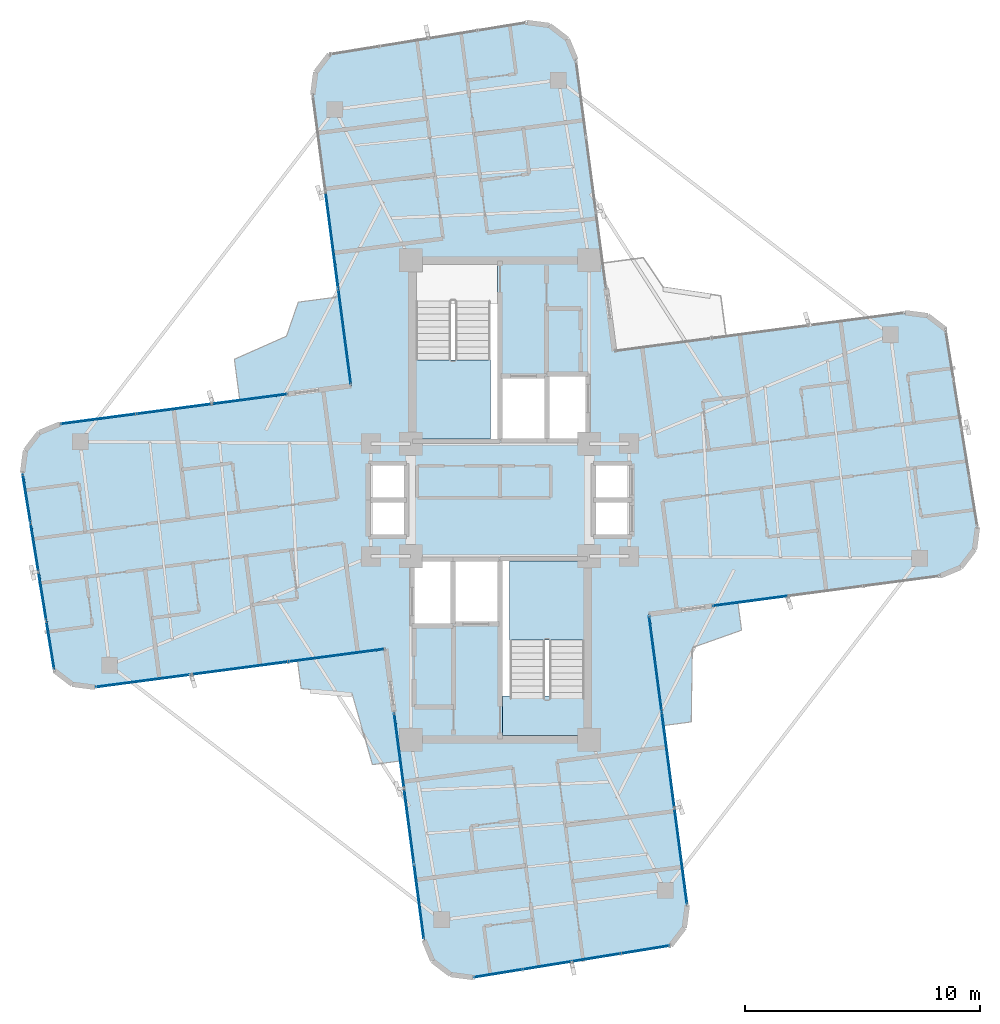
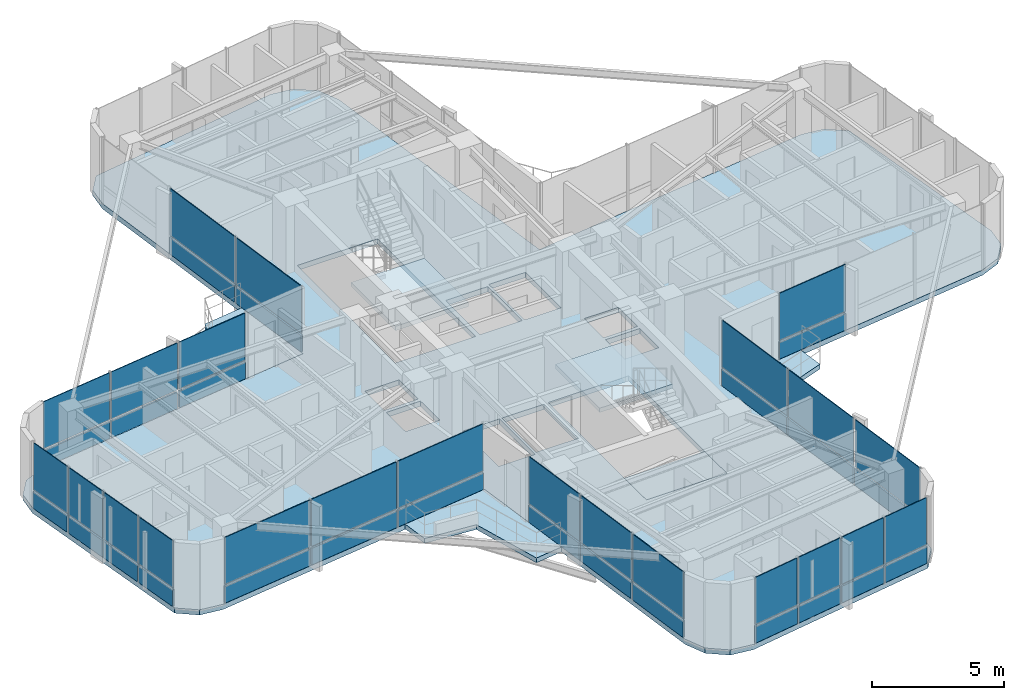
# One storey, part 16 of 22: 46 plates, 7 slabs, 10 elements without a shape of their own.
"""IFC4 building model written with IfcOpenShell, lengths in metres."""

from ifc_helpers import new_model, si_unit, direction, frame, origin, origin_2d, place, context, subcontext, project, spatial, polyline, rectangle, outline, extrude, source, transform, mapped, material, layer, layer_set, type_object, element, aggregate, save


model = new_model("IFC4")

# Units and contexts
model_context = context("Model", 3, precision=1e-05, world=origin(), true_north=direction((0.0, 1.0)))
body_context = subcontext(model_context, "Body", "Model", "MODEL_VIEW")
ifc_project = project(units=[si_unit("LENGTHUNIT", "METRE"), si_unit("AREAUNIT", "SQUARE_METRE"), si_unit("VOLUMEUNIT", "CUBIC_METRE"), si_unit("PLANEANGLEUNIT", "RADIAN"), si_unit("MASSUNIT", "GRAM", prefix="KILO")], contexts=[model_context])

# Site, building, storey
site_placement = place(None, origin())
site = spatial("IfcSite", under=ifc_project, at=site_placement, CompositionType="ELEMENT")
building_placement = place(site_placement, origin())
building = spatial("IfcBuilding", under=site, at=building_placement, Name="Sahyath Konkavel Grand Hotel", CompositionType="ELEMENT")
storey_placement = place(building_placement, frame((0.0, 0.0, 206.5)))
storey = spatial("IfcBuildingStorey", under=building, at=storey_placement, Name="L57", CompositionType="ELEMENT", Elevation=206.5)

# Slabs
ifc_material_1 = material(Name="Concrete C40/50", Category="concrete")
ifc_layer_1 = layer(ifc_material_1, 0.239990234375)
ifc_layer_set_1 = layer_set([ifc_layer_1], Name="Concrete C40/50")
slab_type_1 = type_object("IfcSlabType", Name="SLB-240", PredefinedType="FLOOR", material=ifc_layer_set_1)
slab_1_placement = place(storey_placement, frame((0.0, 0.0, -0.239990234375)))
element("IfcSlab", 1, at=slab_1_placement, inside=storey, type_object=slab_type_1, Name="L57 Structural Floor Slab", PredefinedType="FLOOR", context=body_context, shape_type="SweptSolid", body=[
    extrude(outline(polyline([(6.339111328125, -4.8642578125), (18.732177734375, -3.232666015625), (19.616943359375, -2.8662109375), (20.199951171875, -2.1064453125), (20.324951171875, -1.156982421875), (18.96630859375, 7.2626953125), (18.206787109375, 7.845703125), (17.25732421875, 7.970703125), (4.8642578125, 6.339111328125), (3.232666015625, 18.732177734375), (2.8662109375, 19.616943359375), (2.1064453125, 20.199951171875), (1.156982421875, 20.324951171875), (-7.2626953125, 18.96630859375), (-7.845703125, 18.206787109375), (-7.970703125, 17.25732421875), (-6.339111328125, 4.8642578125), (-18.732177734375, 3.232666015625), (-19.616943359375, 2.8662109375), (-20.199951171875, 2.1064453125), (-20.324951171875, 1.156982421875), (-18.96630859375, -7.2626953125), (-18.206787109375, -7.845703125), (-17.25732421875, -7.970703125), (-4.8642578125, -6.339111328125), (-3.232666015625, -18.732177734375), (-2.8662109375, -19.616943359375), (-2.1064453125, -20.199951171875), (-1.156982421875, -20.324951171875), (7.2626953125, -18.96630859375), (7.845703125, -18.206787109375), (7.970703125, -17.25732421875), (6.339111328125, -4.8642578125)]), holes=[polyline([(-3.6201171875, 2.580078125), (-0.10009765625, 2.580078125), (-0.10009765625, 10.02001953125), (-3.6201171875, 10.02001953125), (-3.6201171875, 2.580078125)]), polyline([(0.10009765625, -10.02001953125), (3.6201171875, -10.02001953125), (3.6201171875, -2.580078125), (0.10009765625, -2.580078125), (0.10009765625, -10.02001953125)]), polyline([(0.10009765625, 2.60009765625), (1.949951171875, 2.60009765625), (1.949951171875, 5.199951171875), (0.10009765625, 5.199951171875), (0.10009765625, 2.60009765625)]), polyline([(-1.949951171875, -5.199951171875), (-0.10009765625, -5.199951171875), (-0.10009765625, -2.60009765625), (-1.949951171875, -2.60009765625), (-1.949951171875, -5.199951171875)]), polyline([(2.050048828125, 2.60009765625), (3.64990234375, 2.60009765625), (3.64990234375, 5.300048828125), (2.050048828125, 5.300048828125), (2.050048828125, 2.60009765625)]), polyline([(-3.64990234375, -5.300048828125), (-2.050048828125, -5.300048828125), (-2.050048828125, -2.60009765625), (-3.64990234375, -2.60009765625), (-3.64990234375, -5.300048828125)]), polyline([(4.050048828125, 0.080078125), (5.550048828125, 0.080078125), (5.550048828125, 1.5400390625), (4.050048828125, 1.5400390625), (4.050048828125, 0.080078125)]), polyline([(4.050048828125, -1.5400390625), (5.550048828125, -1.5400390625), (5.550048828125, -0.080078125), (4.050048828125, -0.080078125), (4.050048828125, -1.5400390625)]), polyline([(-5.550048828125, 0.080078125), (-4.050048828125, 0.080078125), (-4.050048828125, 1.5400390625), (-5.550048828125, 1.5400390625), (-5.550048828125, 0.080078125)]), polyline([(-5.550048828125, -1.5400390625), (-4.050048828125, -1.5400390625), (-4.050048828125, -0.080078125), (-5.550048828125, -0.080078125), (-5.550048828125, -1.5400390625)])]), origin(), (0.0, 0.0, 1.0), 0.239990234375),
])
ifc_layer_2 = layer(ifc_material_1, 0.219970703125)
ifc_layer_set_2 = layer_set([ifc_layer_2], Name="Concrete C40/50")
slab_type_2 = type_object("IfcSlabType", Name="SLB-BALCONY-220", PredefinedType="FLOOR", material=ifc_layer_set_2)
slab_2_placement = place(storey_placement, frame((0.0, 0.0, -0.219970703125)))
element("IfcSlab", 2, at=slab_2_placement, inside=storey, type_object=slab_type_2, Name="L57 Winter-Garden Balcony NW", PredefinedType="FLOOR", context=body_context, shape_type="SweptSolid", body=[
    extrude(outline(polyline([(-6.339111328125, 4.8642578125), (-6.837890625, 8.652587890625), (-8.58740234375, 8.422119140625), (-9.089111328125, 6.974365234375), (-11.3076171875, 5.989990234375), (-11.077392578125, 4.240478515625), (-6.339111328125, 4.8642578125)])), origin(), (0.0, 0.0, 1.0), 0.219970703125),
])
slab_3_placement = place(storey_placement, frame((0.0, 0.0, -0.219970703125)))
element("IfcSlab", 3, at=slab_3_placement, inside=storey, type_object=slab_type_2, Name="L57 Winter-Garden Balcony SW", PredefinedType="FLOOR", context=body_context, shape_type="SweptSolid", body=[
    extrude(outline(polyline([(-4.8642578125, -6.339111328125), (-8.621826171875, -6.833740234375), (-8.464599609375, -8.028076171875), (-6.304443359375, -8.21630859375), (-5.4306640625, -11.26513671875), (-4.236328125, -11.10791015625), (-4.8642578125, -6.339111328125)])), origin(), (0.0, 0.0, 1.0), 0.219970703125),
])
slab_4_placement = place(storey_placement, frame((0.0, 0.0, -0.219970703125)))
element("IfcSlab", 4, at=slab_4_placement, inside=storey, type_object=slab_type_2, Name="L57 Winter-Garden Balcony SE", PredefinedType="FLOOR", context=body_context, shape_type="SweptSolid", body=[
    extrude(outline(polyline([(6.339111328125, -4.8642578125), (6.962890625, -9.602294921875), (8.139892578125, -9.447265625), (8.189208984375, -6.28369140625), (10.282470703125, -5.54248046875), (10.12744140625, -4.365478515625), (6.339111328125, -4.8642578125)])), origin(), (0.0, 0.0, 1.0), 0.219970703125),
])

# Stair, slab
stair_type = type_object("IfcStairType", Name="STR-ST16-335", PredefinedType="HALF_TURN_STAIR", material=ifc_material_1)
stair_1_placement = place(storey_placement, origin())
stair_1 = element("IfcStair", 5, at=stair_1_placement, inside=storey, type_object=stair_type, Name="L57 North Core Smokeproof Exit Stair ST-1", PredefinedType="HALF_TURN_STAIR")
ifc_layer_3 = layer(ifc_material_1, 0.199951171875)
ifc_layer_set_3 = layer_set([ifc_layer_3], Name="Concrete C40/50")
slab_type_3 = type_object("IfcSlabType", Name="SLB-STAIR-LND", PredefinedType="LANDING", material=ifc_layer_set_3)
slab_5_placement = place(storey_placement, frame((0.0, 0.0, 1.47509765625)))
slab_5 = element("IfcSlab", 6, at=slab_5_placement, type_object=slab_type_3, Name="ST-1 landing 1", PredefinedType="LANDING", context=body_context, shape_type="SweptSolid", body=[
    extrude(outline(polyline([(-3.60009765625, 5.9599609375), (-3.60009765625, 2.60009765625), (-0.39990234375, 2.60009765625), (-0.39990234375, 5.9599609375), (-3.60009765625, 5.9599609375)])), origin(), (0.0, 0.0, 1.0), 0.199951171875),
])
aggregate(stair_1, [slab_5])

stair_2_placement = place(storey_placement, origin())
stair_2 = element("IfcStair", 7, at=stair_2_placement, inside=storey, type_object=stair_type, Name="L57 South Core Smokeproof Exit Stair ST-2", PredefinedType="HALF_TURN_STAIR")
slab_6_placement = place(storey_placement, frame((0.0, 0.0, 1.47509765625)))
slab_6 = element("IfcSlab", 8, at=slab_6_placement, type_object=slab_type_3, Name="ST-2 landing 1", PredefinedType="LANDING", context=body_context, shape_type="SweptSolid", body=[
    extrude(outline(polyline([(3.60009765625, -5.9599609375), (3.60009765625, -2.60009765625), (0.39990234375, -2.60009765625), (0.39990234375, -5.9599609375), (3.60009765625, -5.9599609375)])), origin(), (0.0, 0.0, 1.0), 0.199951171875),
])
aggregate(stair_2, [slab_6])

# Slab
slab_7_placement = place(storey_placement, frame((0.0, 0.0, -0.199951171875)))
element("IfcSlab", 9, at=slab_7_placement, inside=storey, type_object=slab_type_3, Name="L57 Stair ST-2 Floor Landing Slab", PredefinedType="LANDING", context=body_context, shape_type="SweptSolid", body=[
    extrude(outline(polyline([(0.10009765625, -10.02001953125), (3.6201171875, -10.02001953125), (3.6201171875, -8.35009765625), (0.10009765625, -8.35009765625), (0.10009765625, -10.02001953125)])), origin(), (0.0, 0.0, 1.0), 0.199951171875),
])

# Curtain wall, plate
ifc_material_2 = material(Name="Anodised Bronze Aluminium & Low-E Glazing", Category="aluminium")
curtain_wall_type = type_object("IfcCurtainWallType", Name="CW-ZONE4", PredefinedType="NOTDEFINED", material=ifc_material_2)
curtain_wall_1_placement = place(storey_placement, origin())
curtain_wall_1 = element("IfcCurtainWall", 10, at=curtain_wall_1_placement, inside=storey, type_object=curtain_wall_type, Name="L57 Unitised Curtain Wall F0", PredefinedType="NOTDEFINED")
ifc_material_3 = material(Name="Warm Buff Sandstone Cladding", Category="masonry")
ifc_layer_4 = layer(ifc_material_3, 0.074951171875)
ifc_layer_set_4 = layer_set([ifc_layer_4], Name="Warm Buff Sandstone Cladding")
plate_type_1 = type_object("IfcPlateType", Name="PNL-SPANDREL-STONE", PredefinedType="SHEET", material=ifc_layer_set_4)
shared_shape_1 = source(origin(), body_context, "Body", "SweptSolid", [
    extrude(rectangle(XDim=3.159912109375, YDim=0.074951171875, at=origin_2d()), origin(), (0.0, 0.0, 1.0), 0.77001953125),
])
plate_1_placement = place(storey_placement, frame((10.661865234375, -4.295166015625, 0.0400390625), z_axis=(0.0, 0.0, 1.0), x_axis=(0.991444861374, 0.13052619222, 0.0)))
plate_1 = element("IfcPlate", 11, at=plate_1_placement, type_object=plate_type_1, Name="L57 Sandstone Relief Spandrel Panel F0-0", PredefinedType="SHEET", context=body_context, shape_type="MappedRepresentation", body=[
    mapped(shared_shape_1, transform((0.0, 0.0, 0.0), scale=1.0)),
])

# Curtain wall, plates
curtain_wall_2_placement = place(storey_placement, origin())
curtain_wall_2 = element("IfcCurtainWall", 12, at=curtain_wall_2_placement, inside=storey, type_object=curtain_wall_type, Name="L57 Unitised Curtain Wall F16", PredefinedType="NOTDEFINED")
plate_2_placement = place(storey_placement, frame((-10.661865234375, 4.295166015625, 0.0400390625), z_axis=(0.0, 0.0, 1.0), x_axis=(-0.991444861374, -0.13052619222, 0.0)))
plate_2 = element("IfcPlate", 13, at=plate_2_placement, type_object=plate_type_1, Name="L57 Sandstone Relief Spandrel Panel F16-0", PredefinedType="SHEET", context=body_context, shape_type="MappedRepresentation", body=[
    mapped(shared_shape_1, transform((0.0, 0.0, 0.0), scale=1.0)),
])
plate_3_placement = place(storey_placement, frame((-13.8740234375, 3.872314453125, 0.0400390625), z_axis=(0.0, 0.0, 1.0), x_axis=(-0.991444861374, -0.13052619222, 0.0)))
plate_3 = element("IfcPlate", 14, at=plate_3_placement, type_object=plate_type_1, Name="L57 Sandstone Relief Spandrel Panel F16-1", PredefinedType="SHEET", context=body_context, shape_type="MappedRepresentation", body=[
    mapped(shared_shape_1, transform((0.0, 0.0, 0.0), scale=1.0)),
])
plate_4_placement = place(storey_placement, frame((-17.086181640625, 3.44921875, 0.0400390625), z_axis=(0.0, 0.0, 1.0), x_axis=(-0.991444861374, -0.13052619222, 0.0)))
plate_4 = element("IfcPlate", 15, at=plate_4_placement, type_object=plate_type_1, Name="L57 Sandstone Relief Spandrel Panel F16-2", PredefinedType="SHEET", context=body_context, shape_type="MappedRepresentation", body=[
    mapped(shared_shape_1, transform((0.0, 0.0, 0.0), scale=1.0)),
])

curtain_wall_3_placement = place(storey_placement, origin())
curtain_wall_3 = element("IfcCurtainWall", 16, at=curtain_wall_3_placement, inside=storey, type_object=curtain_wall_type, Name="L57 Unitised Curtain Wall F24", PredefinedType="NOTDEFINED")
plate_5_placement = place(storey_placement, frame((-4.295166015625, -10.661865234375, 0.0400390625), z_axis=(0.0, 0.0, 1.0), x_axis=(0.13052619222, -0.991444861374, 0.0)))
plate_5 = element("IfcPlate", 17, at=plate_5_placement, type_object=plate_type_1, Name="L57 Sandstone Relief Spandrel Panel F24-0", PredefinedType="SHEET", context=body_context, shape_type="MappedRepresentation", body=[
    mapped(shared_shape_1, transform((0.0, 0.0, 0.0), scale=1.0)),
])
plate_6_placement = place(storey_placement, frame((-3.872314453125, -13.8740234375, 0.0400390625), z_axis=(0.0, 0.0, 1.0), x_axis=(0.13052619222, -0.991444861374, 0.0)))
plate_6 = element("IfcPlate", 18, at=plate_6_placement, type_object=plate_type_1, Name="L57 Sandstone Relief Spandrel Panel F24-1", PredefinedType="SHEET", context=body_context, shape_type="MappedRepresentation", body=[
    mapped(shared_shape_1, transform((0.0, 0.0, 0.0), scale=1.0)),
])
plate_7_placement = place(storey_placement, frame((-3.44921875, -17.086181640625, 0.0400390625), z_axis=(0.0, 0.0, 1.0), x_axis=(0.13052619222, -0.991444861374, 0.0)))
plate_7 = element("IfcPlate", 19, at=plate_7_placement, type_object=plate_type_1, Name="L57 Sandstone Relief Spandrel Panel F24-2", PredefinedType="SHEET", context=body_context, shape_type="MappedRepresentation", body=[
    mapped(shared_shape_1, transform((0.0, 0.0, 0.0), scale=1.0)),
])

# Plate
ifc_material_4 = material(Name="Low-E Solar Control Double Glazing", Category="glass")
ifc_layer_5 = layer(ifc_material_4, 0.035888671875)
ifc_layer_set_5 = layer_set([ifc_layer_5], Name="Low-E Solar Control Double Glazing")
plate_type_2 = type_object("IfcPlateType", Name="PNL-VISION-LOWE", PredefinedType="CURTAIN_PANEL", material=ifc_layer_set_5)
shared_shape_2 = source(origin(), body_context, "Body", "SweptSolid", [
    extrude(rectangle(XDim=3.159912109375, YDim=0.035888671875, at=origin_2d()), origin(), (0.0, 0.0, 1.0), 2.179931640625),
])
plate_8_placement = place(storey_placement, frame((10.661865234375, -4.295166015625, 0.89013671875), z_axis=(0.0, 0.0, 1.0), x_axis=(0.991444861374, 0.13052619222, 0.0)))
plate_8 = element("IfcPlate", 20, at=plate_8_placement, type_object=plate_type_2, Name="L57 Low-E Vision Glazing Panel F0-0", PredefinedType="CURTAIN_PANEL", context=body_context, shape_type="MappedRepresentation", body=[
    mapped(shared_shape_2, transform((0.0, 0.0, 0.0), scale=1.0)),
])

aggregate(curtain_wall_1, [plate_1, plate_8])

plate_9_placement = place(storey_placement, frame((-10.661865234375, 4.295166015625, 0.89013671875), z_axis=(0.0, 0.0, 1.0), x_axis=(-0.991444861374, -0.13052619222, 0.0)))
plate_9 = element("IfcPlate", 21, at=plate_9_placement, type_object=plate_type_2, Name="L57 Low-E Vision Glazing Panel F16-0", PredefinedType="CURTAIN_PANEL", context=body_context, shape_type="MappedRepresentation", body=[
    mapped(shared_shape_2, transform((0.0, 0.0, 0.0), scale=1.0)),
])

plate_10_placement = place(storey_placement, frame((-13.8740234375, 3.872314453125, 0.89013671875), z_axis=(0.0, 0.0, 1.0), x_axis=(-0.991444861374, -0.13052619222, 0.0)))
plate_10 = element("IfcPlate", 22, at=plate_10_placement, type_object=plate_type_2, Name="L57 Low-E Vision Glazing Panel F16-1", PredefinedType="CURTAIN_PANEL", context=body_context, shape_type="MappedRepresentation", body=[
    mapped(shared_shape_2, transform((0.0, 0.0, 0.0), scale=1.0)),
])

plate_11_placement = place(storey_placement, frame((-17.086181640625, 3.44921875, 0.89013671875), z_axis=(0.0, 0.0, 1.0), x_axis=(-0.991444861374, -0.13052619222, 0.0)))
plate_11 = element("IfcPlate", 23, at=plate_11_placement, type_object=plate_type_2, Name="L57 Low-E Vision Glazing Panel F16-2", PredefinedType="CURTAIN_PANEL", context=body_context, shape_type="MappedRepresentation", body=[
    mapped(shared_shape_2, transform((0.0, 0.0, 0.0), scale=1.0)),
])

aggregate(curtain_wall_2, [plate_2, plate_9, plate_3, plate_10, plate_4, plate_11])

plate_12_placement = place(storey_placement, frame((-4.295166015625, -10.661865234375, 0.89013671875), z_axis=(0.0, 0.0, 1.0), x_axis=(0.13052619222, -0.991444861374, 0.0)))
plate_12 = element("IfcPlate", 24, at=plate_12_placement, type_object=plate_type_2, Name="L57 Low-E Vision Glazing Panel F24-0", PredefinedType="CURTAIN_PANEL", context=body_context, shape_type="MappedRepresentation", body=[
    mapped(shared_shape_2, transform((0.0, 0.0, 0.0), scale=1.0)),
])

plate_13_placement = place(storey_placement, frame((-3.872314453125, -13.8740234375, 0.89013671875), z_axis=(0.0, 0.0, 1.0), x_axis=(0.13052619222, -0.991444861374, 0.0)))
plate_13 = element("IfcPlate", 25, at=plate_13_placement, type_object=plate_type_2, Name="L57 Low-E Vision Glazing Panel F24-1", PredefinedType="CURTAIN_PANEL", context=body_context, shape_type="MappedRepresentation", body=[
    mapped(shared_shape_2, transform((0.0, 0.0, 0.0), scale=1.0)),
])

plate_14_placement = place(storey_placement, frame((-3.44921875, -17.086181640625, 0.89013671875), z_axis=(0.0, 0.0, 1.0), x_axis=(0.13052619222, -0.991444861374, 0.0)))
plate_14 = element("IfcPlate", 26, at=plate_14_placement, type_object=plate_type_2, Name="L57 Low-E Vision Glazing Panel F24-2", PredefinedType="CURTAIN_PANEL", context=body_context, shape_type="MappedRepresentation", body=[
    mapped(shared_shape_2, transform((0.0, 0.0, 0.0), scale=1.0)),
])

aggregate(curtain_wall_3, [plate_5, plate_12, plate_6, plate_13, plate_7, plate_14])

# Curtain wall, plates
curtain_wall_4_placement = place(storey_placement, origin())
curtain_wall_4 = element("IfcCurtainWall", 27, at=curtain_wall_4_placement, inside=storey, type_object=curtain_wall_type, Name="L57 Unitised Curtain Wall F20", PredefinedType="NOTDEFINED")
shared_shape_3 = source(origin(), body_context, "Body", "SweptSolid", [
    extrude(rectangle(XDim=2.031982421875, YDim=0.074951171875, at=origin_2d()), origin(), (0.0, 0.0, 1.0), 0.77001953125),
])
plate_15_placement = place(storey_placement, frame((-20.150390625, 0.074951171875, 0.0400390625), z_axis=(0.0, 0.0, 1.0), x_axis=(0.159295381124, -0.98723096667, 0.0)))
plate_15 = element("IfcPlate", 28, at=plate_15_placement, type_object=plate_type_1, Name="L57 Sandstone Relief Spandrel Panel F20-0", PredefinedType="SHEET", context=body_context, shape_type="MappedRepresentation", body=[
    mapped(shared_shape_3, transform((0.0, 0.0, 0.0), scale=1.0)),
])
plate_16_placement = place(storey_placement, frame((-19.81396484375, -2.01025390625, 0.0400390625), z_axis=(0.0, 0.0, 1.0), x_axis=(0.159295381124, -0.98723096667, 0.0)))
plate_16 = element("IfcPlate", 29, at=plate_16_placement, type_object=plate_type_1, Name="L57 Sandstone Relief Spandrel Panel F20-1", PredefinedType="SHEET", context=body_context, shape_type="MappedRepresentation", body=[
    mapped(shared_shape_3, transform((0.0, 0.0, 0.0), scale=1.0)),
])
plate_17_placement = place(storey_placement, frame((-19.477294921875, -4.095458984375, 0.0400390625), z_axis=(0.0, 0.0, 1.0), x_axis=(0.159295381124, -0.98723096667, 0.0)))
plate_17 = element("IfcPlate", 30, at=plate_17_placement, type_object=plate_type_1, Name="L57 Sandstone Relief Spandrel Panel F20-2", PredefinedType="SHEET", context=body_context, shape_type="MappedRepresentation", body=[
    mapped(shared_shape_3, transform((0.0, 0.0, 0.0), scale=1.0)),
])
plate_18_placement = place(storey_placement, frame((-19.14111328125, -6.1806640625, 0.0400390625), z_axis=(0.0, 0.0, 1.0), x_axis=(0.159295381124, -0.98723096667, 0.0)))
plate_18 = element("IfcPlate", 31, at=plate_18_placement, type_object=plate_type_1, Name="L57 Sandstone Relief Spandrel Panel F20-3", PredefinedType="SHEET", context=body_context, shape_type="MappedRepresentation", body=[
    mapped(shared_shape_3, transform((0.0, 0.0, 0.0), scale=1.0)),
])

curtain_wall_5_placement = place(storey_placement, origin())
curtain_wall_5 = element("IfcCurtainWall", 32, at=curtain_wall_5_placement, inside=storey, type_object=curtain_wall_type, Name="L57 Unitised Curtain Wall F28", PredefinedType="NOTDEFINED")
plate_19_placement = place(storey_placement, frame((-0.074951171875, -20.150390625, 0.0400390625), z_axis=(0.0, 0.0, 1.0), x_axis=(0.98723096667, 0.159295381124, 0.0)))
plate_19 = element("IfcPlate", 33, at=plate_19_placement, type_object=plate_type_1, Name="L57 Sandstone Relief Spandrel Panel F28-0", PredefinedType="SHEET", context=body_context, shape_type="MappedRepresentation", body=[
    mapped(shared_shape_3, transform((0.0, 0.0, 0.0), scale=1.0)),
])
plate_20_placement = place(storey_placement, frame((2.01025390625, -19.81396484375, 0.0400390625), z_axis=(0.0, 0.0, 1.0), x_axis=(0.98723096667, 0.159295381124, 0.0)))
plate_20 = element("IfcPlate", 34, at=plate_20_placement, type_object=plate_type_1, Name="L57 Sandstone Relief Spandrel Panel F28-1", PredefinedType="SHEET", context=body_context, shape_type="MappedRepresentation", body=[
    mapped(shared_shape_3, transform((0.0, 0.0, 0.0), scale=1.0)),
])
plate_21_placement = place(storey_placement, frame((4.095458984375, -19.477294921875, 0.0400390625), z_axis=(0.0, 0.0, 1.0), x_axis=(0.98723096667, 0.159295381124, 0.0)))
plate_21 = element("IfcPlate", 35, at=plate_21_placement, type_object=plate_type_1, Name="L57 Sandstone Relief Spandrel Panel F28-2", PredefinedType="SHEET", context=body_context, shape_type="MappedRepresentation", body=[
    mapped(shared_shape_3, transform((0.0, 0.0, 0.0), scale=1.0)),
])
plate_22_placement = place(storey_placement, frame((6.1806640625, -19.14111328125, 0.0400390625), z_axis=(0.0, 0.0, 1.0), x_axis=(0.98723096667, 0.159295381124, 0.0)))
plate_22 = element("IfcPlate", 36, at=plate_22_placement, type_object=plate_type_1, Name="L57 Sandstone Relief Spandrel Panel F28-3", PredefinedType="SHEET", context=body_context, shape_type="MappedRepresentation", body=[
    mapped(shared_shape_3, transform((0.0, 0.0, 0.0), scale=1.0)),
])

# Plate
shared_shape_4 = source(origin(), body_context, "Body", "SweptSolid", [
    extrude(rectangle(XDim=2.031982421875, YDim=0.035888671875, at=origin_2d()), origin(), (0.0, 0.0, 1.0), 2.179931640625),
])
plate_23_placement = place(storey_placement, frame((-20.150390625, 0.074951171875, 0.89013671875), z_axis=(0.0, 0.0, 1.0), x_axis=(0.159295381124, -0.98723096667, 0.0)))
plate_23 = element("IfcPlate", 37, at=plate_23_placement, type_object=plate_type_2, Name="L57 Low-E Vision Glazing Panel F20-0", PredefinedType="CURTAIN_PANEL", context=body_context, shape_type="MappedRepresentation", body=[
    mapped(shared_shape_4, transform((0.0, 0.0, 0.0), scale=1.0)),
])

plate_24_placement = place(storey_placement, frame((-19.81396484375, -2.01025390625, 0.89013671875), z_axis=(0.0, 0.0, 1.0), x_axis=(0.159295381124, -0.98723096667, 0.0)))
plate_24 = element("IfcPlate", 38, at=plate_24_placement, type_object=plate_type_2, Name="L57 Low-E Vision Glazing Panel F20-1", PredefinedType="CURTAIN_PANEL", context=body_context, shape_type="MappedRepresentation", body=[
    mapped(shared_shape_4, transform((0.0, 0.0, 0.0), scale=1.0)),
])

plate_25_placement = place(storey_placement, frame((-19.477294921875, -4.095458984375, 0.89013671875), z_axis=(0.0, 0.0, 1.0), x_axis=(0.159295381124, -0.98723096667, 0.0)))
plate_25 = element("IfcPlate", 39, at=plate_25_placement, type_object=plate_type_2, Name="L57 Low-E Vision Glazing Panel F20-2", PredefinedType="CURTAIN_PANEL", context=body_context, shape_type="MappedRepresentation", body=[
    mapped(shared_shape_4, transform((0.0, 0.0, 0.0), scale=1.0)),
])

plate_26_placement = place(storey_placement, frame((-19.14111328125, -6.1806640625, 0.89013671875), z_axis=(0.0, 0.0, 1.0), x_axis=(0.159295381124, -0.98723096667, 0.0)))
plate_26 = element("IfcPlate", 40, at=plate_26_placement, type_object=plate_type_2, Name="L57 Low-E Vision Glazing Panel F20-3", PredefinedType="CURTAIN_PANEL", context=body_context, shape_type="MappedRepresentation", body=[
    mapped(shared_shape_4, transform((0.0, 0.0, 0.0), scale=1.0)),
])

aggregate(curtain_wall_4, [plate_15, plate_23, plate_16, plate_24, plate_17, plate_25, plate_18, plate_26])

plate_27_placement = place(storey_placement, frame((-0.074951171875, -20.150390625, 0.89013671875), z_axis=(0.0, 0.0, 1.0), x_axis=(0.98723096667, 0.159295381124, 0.0)))
plate_27 = element("IfcPlate", 41, at=plate_27_placement, type_object=plate_type_2, Name="L57 Low-E Vision Glazing Panel F28-0", PredefinedType="CURTAIN_PANEL", context=body_context, shape_type="MappedRepresentation", body=[
    mapped(shared_shape_4, transform((0.0, 0.0, 0.0), scale=1.0)),
])

plate_28_placement = place(storey_placement, frame((2.01025390625, -19.81396484375, 0.89013671875), z_axis=(0.0, 0.0, 1.0), x_axis=(0.98723096667, 0.159295381124, 0.0)))
plate_28 = element("IfcPlate", 42, at=plate_28_placement, type_object=plate_type_2, Name="L57 Low-E Vision Glazing Panel F28-1", PredefinedType="CURTAIN_PANEL", context=body_context, shape_type="MappedRepresentation", body=[
    mapped(shared_shape_4, transform((0.0, 0.0, 0.0), scale=1.0)),
])

plate_29_placement = place(storey_placement, frame((4.095458984375, -19.477294921875, 0.89013671875), z_axis=(0.0, 0.0, 1.0), x_axis=(0.98723096667, 0.159295381124, 0.0)))
plate_29 = element("IfcPlate", 43, at=plate_29_placement, type_object=plate_type_2, Name="L57 Low-E Vision Glazing Panel F28-2", PredefinedType="CURTAIN_PANEL", context=body_context, shape_type="MappedRepresentation", body=[
    mapped(shared_shape_4, transform((0.0, 0.0, 0.0), scale=1.0)),
])

plate_30_placement = place(storey_placement, frame((6.1806640625, -19.14111328125, 0.89013671875), z_axis=(0.0, 0.0, 1.0), x_axis=(0.98723096667, 0.159295381124, 0.0)))
plate_30 = element("IfcPlate", 44, at=plate_30_placement, type_object=plate_type_2, Name="L57 Low-E Vision Glazing Panel F28-3", PredefinedType="CURTAIN_PANEL", context=body_context, shape_type="MappedRepresentation", body=[
    mapped(shared_shape_4, transform((0.0, 0.0, 0.0), scale=1.0)),
])

aggregate(curtain_wall_5, [plate_19, plate_27, plate_20, plate_28, plate_21, plate_29, plate_22, plate_30])

# Curtain wall, plates
curtain_wall_6_placement = place(storey_placement, origin())
curtain_wall_6 = element("IfcCurtainWall", 45, at=curtain_wall_6_placement, inside=storey, type_object=curtain_wall_type, Name="L57 Unitised Curtain Wall F15", PredefinedType="NOTDEFINED")
shared_shape_5 = source(origin(), body_context, "Body", "SweptSolid", [
    extrude(rectangle(XDim=4.06005859375, YDim=0.074951171875, at=origin_2d()), origin(), (0.0, 0.0, 1.0), 0.77001953125),
])
plate_31_placement = place(storey_placement, frame((-7.15478515625, 11.060791015625, 0.0400390625), z_axis=(0.0, 0.0, 1.0), x_axis=(0.13052619222, -0.991444861374, 0.0)))
plate_31 = element("IfcPlate", 46, at=plate_31_placement, type_object=plate_type_1, Name="L57 Sandstone Relief Spandrel Panel F15-1", PredefinedType="SHEET", context=body_context, shape_type="MappedRepresentation", body=[
    mapped(shared_shape_5, transform((0.0, 0.0, 0.0), scale=1.0)),
])
plate_32_placement = place(storey_placement, frame((-6.614501953125, 6.956298828125, 0.0400390625), z_axis=(0.0, 0.0, 1.0), x_axis=(0.13052619222, -0.991444861374, 0.0)))
plate_32 = element("IfcPlate", 47, at=plate_32_placement, type_object=plate_type_1, Name="L57 Sandstone Relief Spandrel Panel F15-2", PredefinedType="SHEET", context=body_context, shape_type="MappedRepresentation", body=[
    mapped(shared_shape_5, transform((0.0, 0.0, 0.0), scale=1.0)),
])

curtain_wall_7_placement = place(storey_placement, origin())
curtain_wall_7 = element("IfcCurtainWall", 48, at=curtain_wall_7_placement, inside=storey, type_object=curtain_wall_type, Name="L57 Unitised Curtain Wall F23", PredefinedType="NOTDEFINED")
plate_33_placement = place(storey_placement, frame((-15.165283203125, -7.6953125, 0.0400390625), z_axis=(0.0, 0.0, 1.0), x_axis=(0.991444861374, 0.13052619222, 0.0)))
plate_33 = element("IfcPlate", 49, at=plate_33_placement, type_object=plate_type_1, Name="L57 Sandstone Relief Spandrel Panel F23-0", PredefinedType="SHEET", context=body_context, shape_type="MappedRepresentation", body=[
    mapped(shared_shape_5, transform((0.0, 0.0, 0.0), scale=1.0)),
])
plate_34_placement = place(storey_placement, frame((-11.060791015625, -7.15478515625, 0.0400390625), z_axis=(0.0, 0.0, 1.0), x_axis=(0.991444861374, 0.13052619222, 0.0)))
plate_34 = element("IfcPlate", 50, at=plate_34_placement, type_object=plate_type_1, Name="L57 Sandstone Relief Spandrel Panel F23-1", PredefinedType="SHEET", context=body_context, shape_type="MappedRepresentation", body=[
    mapped(shared_shape_5, transform((0.0, 0.0, 0.0), scale=1.0)),
])
plate_35_placement = place(storey_placement, frame((-6.956298828125, -6.614501953125, 0.0400390625), z_axis=(0.0, 0.0, 1.0), x_axis=(0.991444861374, 0.13052619222, 0.0)))
plate_35 = element("IfcPlate", 51, at=plate_35_placement, type_object=plate_type_1, Name="L57 Sandstone Relief Spandrel Panel F23-2", PredefinedType="SHEET", context=body_context, shape_type="MappedRepresentation", body=[
    mapped(shared_shape_5, transform((0.0, 0.0, 0.0), scale=1.0)),
])

curtain_wall_8_placement = place(storey_placement, origin())
curtain_wall_8 = element("IfcCurtainWall", 52, at=curtain_wall_8_placement, inside=storey, type_object=curtain_wall_type, Name="L57 Unitised Curtain Wall F31", PredefinedType="NOTDEFINED")
plate_36_placement = place(storey_placement, frame((7.6953125, -15.165283203125, 0.0400390625), z_axis=(0.0, 0.0, 1.0), x_axis=(-0.13052619222, 0.991444861374, 0.0)))
plate_36 = element("IfcPlate", 53, at=plate_36_placement, type_object=plate_type_1, Name="L57 Sandstone Relief Spandrel Panel F31-0", PredefinedType="SHEET", context=body_context, shape_type="MappedRepresentation", body=[
    mapped(shared_shape_5, transform((0.0, 0.0, 0.0), scale=1.0)),
])
plate_37_placement = place(storey_placement, frame((7.15478515625, -11.060791015625, 0.0400390625), z_axis=(0.0, 0.0, 1.0), x_axis=(-0.13052619222, 0.991444861374, 0.0)))
plate_37 = element("IfcPlate", 54, at=plate_37_placement, type_object=plate_type_1, Name="L57 Sandstone Relief Spandrel Panel F31-1", PredefinedType="SHEET", context=body_context, shape_type="MappedRepresentation", body=[
    mapped(shared_shape_5, transform((0.0, 0.0, 0.0), scale=1.0)),
])
plate_38_placement = place(storey_placement, frame((6.614501953125, -6.956298828125, 0.0400390625), z_axis=(0.0, 0.0, 1.0), x_axis=(-0.13052619222, 0.991444861374, 0.0)))
plate_38 = element("IfcPlate", 55, at=plate_38_placement, type_object=plate_type_1, Name="L57 Sandstone Relief Spandrel Panel F31-2", PredefinedType="SHEET", context=body_context, shape_type="MappedRepresentation", body=[
    mapped(shared_shape_5, transform((0.0, 0.0, 0.0), scale=1.0)),
])

# Plate
shared_shape_6 = source(origin(), body_context, "Body", "SweptSolid", [
    extrude(rectangle(XDim=4.06005859375, YDim=0.035888671875, at=origin_2d()), origin(), (0.0, 0.0, 1.0), 2.179931640625),
])
plate_39_placement = place(storey_placement, frame((-7.15478515625, 11.060791015625, 0.89013671875), z_axis=(0.0, 0.0, 1.0), x_axis=(0.13052619222, -0.991444861374, 0.0)))
plate_39 = element("IfcPlate", 56, at=plate_39_placement, type_object=plate_type_2, Name="L57 Low-E Vision Glazing Panel F15-1", PredefinedType="CURTAIN_PANEL", context=body_context, shape_type="MappedRepresentation", body=[
    mapped(shared_shape_6, transform((0.0, 0.0, 0.0), scale=1.0)),
])

plate_40_placement = place(storey_placement, frame((-6.614501953125, 6.956298828125, 0.89013671875), z_axis=(0.0, 0.0, 1.0), x_axis=(0.13052619222, -0.991444861374, 0.0)))
plate_40 = element("IfcPlate", 57, at=plate_40_placement, type_object=plate_type_2, Name="L57 Low-E Vision Glazing Panel F15-2", PredefinedType="CURTAIN_PANEL", context=body_context, shape_type="MappedRepresentation", body=[
    mapped(shared_shape_6, transform((0.0, 0.0, 0.0), scale=1.0)),
])

aggregate(curtain_wall_6, [plate_31, plate_39, plate_32, plate_40])

plate_41_placement = place(storey_placement, frame((-15.165283203125, -7.6953125, 0.89013671875), z_axis=(0.0, 0.0, 1.0), x_axis=(0.991444861374, 0.13052619222, 0.0)))
plate_41 = element("IfcPlate", 58, at=plate_41_placement, type_object=plate_type_2, Name="L57 Low-E Vision Glazing Panel F23-0", PredefinedType="CURTAIN_PANEL", context=body_context, shape_type="MappedRepresentation", body=[
    mapped(shared_shape_6, transform((0.0, 0.0, 0.0), scale=1.0)),
])

plate_42_placement = place(storey_placement, frame((-11.060791015625, -7.15478515625, 0.89013671875), z_axis=(0.0, 0.0, 1.0), x_axis=(0.991444861374, 0.13052619222, 0.0)))
plate_42 = element("IfcPlate", 59, at=plate_42_placement, type_object=plate_type_2, Name="L57 Low-E Vision Glazing Panel F23-1", PredefinedType="CURTAIN_PANEL", context=body_context, shape_type="MappedRepresentation", body=[
    mapped(shared_shape_6, transform((0.0, 0.0, 0.0), scale=1.0)),
])

plate_43_placement = place(storey_placement, frame((-6.956298828125, -6.614501953125, 0.89013671875), z_axis=(0.0, 0.0, 1.0), x_axis=(0.991444861374, 0.13052619222, 0.0)))
plate_43 = element("IfcPlate", 60, at=plate_43_placement, type_object=plate_type_2, Name="L57 Low-E Vision Glazing Panel F23-2", PredefinedType="CURTAIN_PANEL", context=body_context, shape_type="MappedRepresentation", body=[
    mapped(shared_shape_6, transform((0.0, 0.0, 0.0), scale=1.0)),
])

aggregate(curtain_wall_7, [plate_33, plate_41, plate_34, plate_42, plate_35, plate_43])

plate_44_placement = place(storey_placement, frame((7.6953125, -15.165283203125, 0.89013671875), z_axis=(0.0, 0.0, 1.0), x_axis=(-0.13052619222, 0.991444861374, 0.0)))
plate_44 = element("IfcPlate", 61, at=plate_44_placement, type_object=plate_type_2, Name="L57 Low-E Vision Glazing Panel F31-0", PredefinedType="CURTAIN_PANEL", context=body_context, shape_type="MappedRepresentation", body=[
    mapped(shared_shape_6, transform((0.0, 0.0, 0.0), scale=1.0)),
])

plate_45_placement = place(storey_placement, frame((7.15478515625, -11.060791015625, 0.89013671875), z_axis=(0.0, 0.0, 1.0), x_axis=(-0.13052619222, 0.991444861374, 0.0)))
plate_45 = element("IfcPlate", 62, at=plate_45_placement, type_object=plate_type_2, Name="L57 Low-E Vision Glazing Panel F31-1", PredefinedType="CURTAIN_PANEL", context=body_context, shape_type="MappedRepresentation", body=[
    mapped(shared_shape_6, transform((0.0, 0.0, 0.0), scale=1.0)),
])

plate_46_placement = place(storey_placement, frame((6.614501953125, -6.956298828125, 0.89013671875), z_axis=(0.0, 0.0, 1.0), x_axis=(-0.13052619222, 0.991444861374, 0.0)))
plate_46 = element("IfcPlate", 63, at=plate_46_placement, type_object=plate_type_2, Name="L57 Low-E Vision Glazing Panel F31-2", PredefinedType="CURTAIN_PANEL", context=body_context, shape_type="MappedRepresentation", body=[
    mapped(shared_shape_6, transform((0.0, 0.0, 0.0), scale=1.0)),
])

aggregate(curtain_wall_8, [plate_36, plate_44, plate_37, plate_45, plate_38, plate_46])

save(model, "model.ifc")
